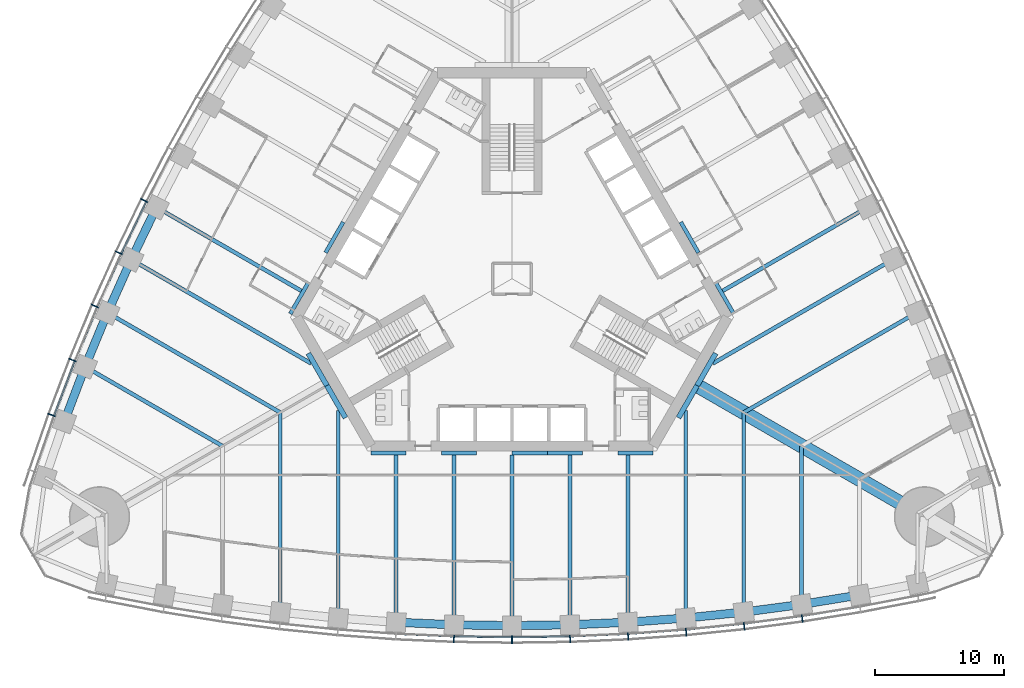
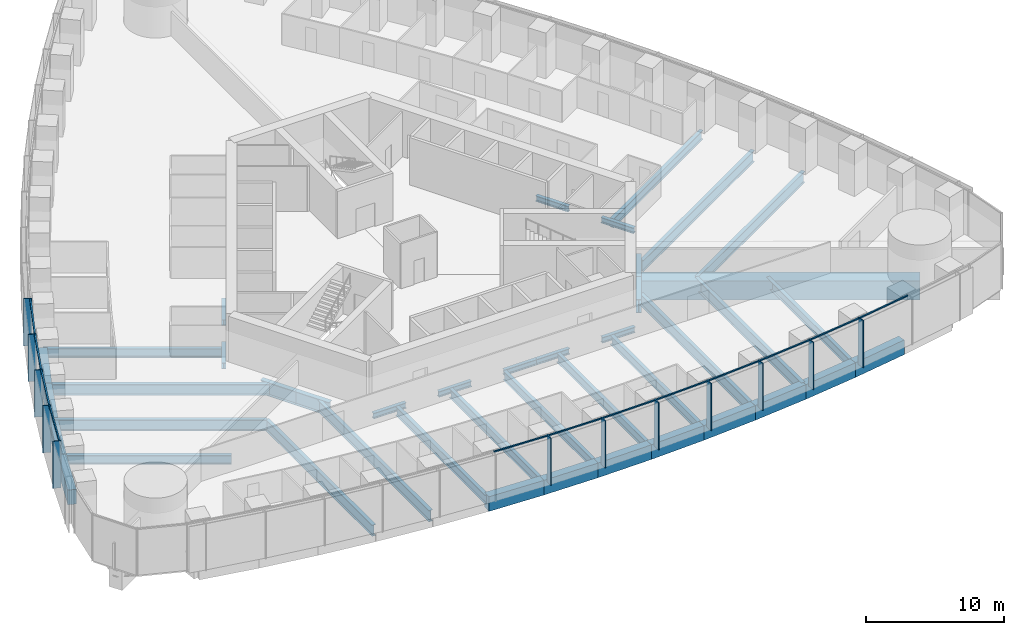
# One storey, part 3 of 18: 43 beams, 24 members, 2 elements without a shape of their own.
"""IFC4 building model written with IfcOpenShell, lengths in metres."""

import ifcopenshell
import ifcopenshell.guid

model = None  # the IFC model being written
_history = None  # IfcOwnerHistory: only IFC2X3 demands one
_inside = {}  # id of a spatial element -> (the spatial element, [elements in it])
_under = {}  # id of a project, library or spatial element -> (it, [spatial elements below it])
_declared = {}  # id of a project -> (the project, [libraries it declares])
_typed = {}  # id of a type object -> (the type object, [elements of that type])
_made_of = {}  # id of a material, layer set ... -> (it, [elements and type objects made of it])


def new_model(schema):
    """Start an empty IFC model of exactly this schema.

    Asked for "IFC4X3", IfcOpenShell would pick the latest addendum, in which some entities
    have other attributes; the version numbers below select the first issue.
    IFC2X3 requires an IfcOwnerHistory on every rooted entity: one is made here for all.
    """
    global model, _history
    if schema == "IFC4X3":
        model = ifcopenshell.file(schema_version=(4, 3, 0, 0))
    else:
        model = ifcopenshell.file(schema=schema)
    _inside.clear()
    _under.clear()
    _declared.clear()
    _typed.clear()
    _made_of.clear()
    _history = None
    if model.schema == "IFC2X3":
        org = make("IfcOrganization", Name="unknown")
        user = make(
            "IfcPersonAndOrganization",
            ThePerson=make("IfcPerson", FamilyName="unknown"),
            TheOrganization=org,
        )
        app = make(
            "IfcApplication",
            ApplicationDeveloper=org,
            Version="unknown",
            ApplicationFullName="unknown",
            ApplicationIdentifier="unknown",
        )
        _history = make(
            "IfcOwnerHistory",
            OwningUser=user,
            OwningApplication=app,
            ChangeAction="ADDED",
            CreationDate=0,
        )
    return model


def make(cls, **values):
    """One entity of the class cls with the attributes given. An attribute that is None is left unset."""
    return model.create_entity(
        cls, **{name: value for name, value in values.items() if value is not None}
    )


def rooted(cls, **values):
    """An entity with a GlobalId (a new one), such as an element, a storey or a relation."""
    return make(cls, GlobalId=ifcopenshell.guid.new(), OwnerHistory=_history, **values)


def si_unit(unit_type, name, prefix=None):
    """IfcSIUnit, for example si_unit("LENGTHUNIT", "METRE", prefix="MILLI")."""
    return make("IfcSIUnit", UnitType=unit_type, Prefix=prefix, Name=name)


def assignment(units):
    """IfcUnitAssignment: the units of a project."""
    return None if units is None else make("IfcUnitAssignment", Units=units)


def point(xyz):
    """IfcCartesianPoint."""
    return None if xyz is None else make("IfcCartesianPoint", Coordinates=xyz)


def direction(xyz):
    """IfcDirection."""
    return None if xyz is None else make("IfcDirection", DirectionRatios=xyz)


def frame(location, z_axis=None, x_axis=None):
    """IfcAxis2Placement3D, a coordinate frame: its origin and axes. An axis left out is left unset."""
    return make(
        "IfcAxis2Placement3D",
        Location=point(location),
        Axis=direction(z_axis),
        RefDirection=direction(x_axis),
    )


def frame_2d(location, x_axis=None):
    """IfcAxis2Placement2D, a coordinate frame in the plane: its origin and x axis."""
    return make(
        "IfcAxis2Placement2D", Location=point(location), RefDirection=direction(x_axis)
    )


def origin():
    """The frame at (0, 0, 0) with its axes left unset."""
    return frame((0.0, 0.0, 0.0))


def origin_2d():
    """The frame at (0, 0) in the plane with its x axis left unset."""
    return frame_2d((0.0, 0.0))


def place(relative_to, where):
    """IfcLocalPlacement: puts the frame where relative to a parent placement (None: the world)."""
    return make(
        "IfcLocalPlacement", PlacementRelTo=relative_to, RelativePlacement=where
    )


def context(
    kind, dimensions, precision=None, world=None, true_north=None, identifier=None
):
    """IfcGeometricRepresentationContext, for example the 3D "Model" context."""
    return make(
        "IfcGeometricRepresentationContext",
        ContextIdentifier=identifier,
        ContextType=kind,
        CoordinateSpaceDimension=dimensions,
        Precision=precision,
        WorldCoordinateSystem=world,
        TrueNorth=true_north,
    )


def subcontext(parent, identifier, kind, view, scale=None):
    """IfcGeometricRepresentationSubContext, for example "Body" below "Model"."""
    return make(
        "IfcGeometricRepresentationSubContext",
        ContextIdentifier=identifier,
        ContextType=kind,
        ParentContext=parent,
        TargetScale=scale,
        TargetView=view,
    )


def project(units=None, contexts=None):
    """IfcProject with its units and contexts."""
    return rooted(
        "IfcProject",
        Name="project",
        RepresentationContexts=contexts,
        UnitsInContext=assignment(units),
    )


def spatial(cls, under=None, at=None, **own):
    """A site, building, storey or space (cls), placed at a placement, below another one or the project."""
    s = rooted(cls, ObjectPlacement=at, **own)
    if under is not None:
        _under.setdefault(under.id(), (under, []))[1].append(s)
    return s


def profile(cls, at=None, kind="AREA", **sizes):
    """A parametric profile (cls). Its sizes go by their IFC names, for example OverallWidth=200.0."""
    return make(cls, ProfileType=kind, Position=at, **sizes)


def rectangle(**sizes):
    """IfcRectangleProfileDef."""
    return profile("IfcRectangleProfileDef", **sizes)


def i_section(**sizes):
    """IfcIShapeProfileDef."""
    return profile("IfcIShapeProfileDef", **sizes)


def extrude(swept, where, along, depth):
    """IfcExtrudedAreaSolid: the profile swept, set in the frame where, extruded along a direction by depth."""
    return make(
        "IfcExtrudedAreaSolid",
        SweptArea=swept,
        Position=where,
        ExtrudedDirection=direction(along),
        Depth=depth,
    )


def shape(context_of_items, identifier, shape_type, items):
    """IfcShapeRepresentation: the items that make up one representation, for example the "Body"."""
    return make(
        "IfcShapeRepresentation",
        ContextOfItems=context_of_items,
        RepresentationIdentifier=identifier,
        RepresentationType=shape_type,
        Items=items,
    )


def material(Name=None, Category=None):
    """IfcMaterial."""
    return make("IfcMaterial", Name=Name, Category=Category)


def material_profile(
    of_material, cross_section, Name=None, Category=None, Priority=None
):
    """IfcMaterialProfile: a cross section and its material."""
    return make(
        "IfcMaterialProfile",
        Name=Name,
        Material=of_material,
        Profile=cross_section,
        Priority=Priority,
        Category=Category,
    )


def profile_set(profiles, Name=None, composite=None):
    """IfcMaterialProfileSet."""
    return make(
        "IfcMaterialProfileSet",
        Name=Name,
        MaterialProfiles=profiles,
        CompositeProfile=composite,
    )


def made_of(thing, what):
    """Note that an element or type object is made of a material, layer set ...; save() writes the relation."""
    if what is not None:
        _made_of.setdefault(what.id(), (what, []))[1].append(thing)
    return thing


def type_object(cls, material=None, **own):
    """A type object (cls), such as IfcWallType, which elements share."""
    return made_of(rooted(cls, **own), material)


def element(
    cls,
    number,
    at=None,
    inside=None,
    cuts=None,
    type_object=None,
    material=None,
    context=None,
    identifier="Body",
    shape_type=None,
    held_by="IfcProductDefinitionShape",
    body=None,
    shapes=None,
    **own,
):
    """One element of the class cls, such as IfcWall. Its Tag is "e" and its number.

    at: its placement. inside: the storey or other place that contains it. cuts: it is an
    opening in that element (IfcRelVoidsElement). A single representation is given by context,
    identifier, shape_type and body (its items); several are given by shapes. held_by: the class
    of the entity that holds the representations. save() writes the other relations.
    """
    e = rooted(cls, Tag="e%d" % number, ObjectPlacement=at, **own)
    if body is not None:
        shapes = [shape(context, identifier, shape_type, body)]
    if shapes is not None:
        e.Representation = make(held_by, Representations=shapes)
    if inside is not None:
        _inside.setdefault(inside.id(), (inside, []))[1].append(e)
    if cuts is not None:
        rooted(
            "IfcRelVoidsElement", RelatingBuildingElement=cuts, RelatedOpeningElement=e
        )
    if type_object is not None:
        _typed.setdefault(type_object.id(), (type_object, []))[1].append(e)
    return made_of(e, material)


def aggregate(whole, parts):
    """IfcRelAggregates: a whole, such as a stair, and the parts it consists of."""
    return rooted("IfcRelAggregates", RelatingObject=whole, RelatedObjects=parts)


def save(model, path):
    """Write the relations noted so far, then the file.

    IfcRelAggregates (storeys below a building ...), IfcRelContainedInSpatialStructure (elements
    in a storey), IfcRelDefinesByType, IfcRelAssociatesMaterial and IfcRelDeclares: one each for
    every whole, place, type object, material and project.
    """
    for whole, parts in _under.values():
        aggregate(whole, parts)
    for where, things in _inside.values():
        rooted(
            "IfcRelContainedInSpatialStructure",
            RelatedElements=things,
            RelatingStructure=where,
        )
    for kind, things in _typed.values():
        rooted("IfcRelDefinesByType", RelatedObjects=things, RelatingType=kind)
    for what, things in _made_of.values():
        rooted("IfcRelAssociatesMaterial", RelatedObjects=things, RelatingMaterial=what)
    for by, libraries in _declared.values():
        rooted("IfcRelDeclares", RelatingContext=by, RelatedDefinitions=libraries)
    model.write(path)


model = new_model("IFC4")

# Units and contexts
model_context = context("Model", 3, precision=1e-05, world=origin(), true_north=direction((0.0, 1.0)))
body_context = subcontext(model_context, "Body", "Model", "MODEL_VIEW")
ifc_project = project(units=[si_unit("LENGTHUNIT", "METRE"), si_unit("AREAUNIT", "SQUARE_METRE"), si_unit("VOLUMEUNIT", "CUBIC_METRE"), si_unit("PLANEANGLEUNIT", "RADIAN"), si_unit("MASSUNIT", "GRAM", prefix="KILO")], contexts=[model_context])

# Site, building, storey
site_placement = place(None, origin())
site = spatial("IfcSite", under=ifc_project, at=site_placement, CompositionType="ELEMENT")
building_placement = place(site_placement, origin())
building = spatial("IfcBuilding", under=site, at=building_placement, Name="Trefoil Bronze Tower", CompositionType="ELEMENT")
storey_placement = place(building_placement, frame((0.0, 0.0, 33.300048828125)))
storey = spatial("IfcBuildingStorey", under=building, at=storey_placement, Name="L07", CompositionType="ELEMENT", Elevation=33.300048828125)

# Curtain wall, members
ifc_material_1 = material(Name="Tinted solar-control glass", Category="glass")
curtain_wall_type = type_object("IfcCurtainWallType", Name="Bronze office curtain wall", PredefinedType="USERDEFINED", material=ifc_material_1)
curtain_wall_1_placement = place(storey_placement, origin())
curtain_wall_1 = element("IfcCurtainWall", 1, at=curtain_wall_1_placement, inside=storey, type_object=curtain_wall_type, Name="CW-A L07 F1", ObjectType="CURTAIN WALL", PredefinedType="USERDEFINED")
ifc_material_2 = material(Name="Bronze-finish aluminium", Category="aluminium")
ifc_material_profile_1 = material_profile(ifc_material_2, rectangle(XDim=0.60009765625, YDim=0.080078125, at=origin_2d()), Name="CW-A mullion")
ifc_profile_set_1 = profile_set([ifc_material_profile_1], Name="Bronze-finish aluminium")
member_type_1 = type_object("IfcMemberType", Name="Bronze office curtain wall mullion", PredefinedType="MULLION", material=ifc_profile_set_1)
member_1_placement = place(storey_placement, frame((-4.5087890625, -27.9833984375, 0.0), z_axis=(0.0, 0.0, 1.0), x_axis=(0.029021671584, 0.999578782577, 0.0)))
member_1 = element("IfcMember", 2, at=member_1_placement, type_object=member_type_1, Name="CW-A L07 F1 mullion 8", PredefinedType="MULLION", context=body_context, shape_type="SweptSolid", body=[
    extrude(rectangle(XDim=0.60009765625, YDim=0.080078125, at=origin_2d()), origin(), (0.0, 0.0, 1.0), 4.179931640625),
])
member_2_placement = place(storey_placement, frame((0.0, -28.048828125, 0.0), z_axis=(0.0, 0.0, 1.0), x_axis=(0.0, 1.0, 0.0)))
member_2 = element("IfcMember", 3, at=member_2_placement, type_object=member_type_1, Name="CW-A L07 F1 mullion 9", PredefinedType="MULLION", context=body_context, shape_type="SweptSolid", body=[
    extrude(rectangle(XDim=0.60009765625, YDim=0.080078125, at=origin_2d()), origin(), (0.0, 0.0, 1.0), 4.179931640625),
])
member_3_placement = place(storey_placement, frame((4.5087890625, -27.9833984375, 0.0), z_axis=(0.0, 0.0, 1.0), x_axis=(-0.029021671584, 0.999578782577, 0.0)))
member_3 = element("IfcMember", 4, at=member_3_placement, type_object=member_type_1, Name="CW-A L07 F1 mullion 10", PredefinedType="MULLION", context=body_context, shape_type="SweptSolid", body=[
    extrude(rectangle(XDim=0.60009765625, YDim=0.080078125, at=origin_2d()), origin(), (0.0, 0.0, 1.0), 4.179931640625),
])
member_4_placement = place(storey_placement, frame((9.017333984375, -27.786865234375, 0.0), z_axis=(0.0, 0.0, 1.0), x_axis=(-0.058043374207, 0.998314062162, 0.0)))
member_4 = element("IfcMember", 5, at=member_4_placement, type_object=member_type_1, Name="CW-A L07 F1 mullion 11", PredefinedType="MULLION", context=body_context, shape_type="SweptSolid", body=[
    extrude(rectangle(XDim=0.60009765625, YDim=0.080078125, at=origin_2d()), origin(), (0.0, 0.0, 1.0), 4.179931640625),
])
member_5_placement = place(storey_placement, frame((13.526123046875, -27.458984375, 0.0), z_axis=(0.0, 0.0, 1.0), x_axis=(-0.087065139456, 0.996202620701, 0.0)))
member_5 = element("IfcMember", 6, at=member_5_placement, type_object=member_type_1, Name="CW-A L07 F1 mullion 12", PredefinedType="MULLION", context=body_context, shape_type="SweptSolid", body=[
    extrude(rectangle(XDim=0.60009765625, YDim=0.080078125, at=origin_2d()), origin(), (0.0, 0.0, 1.0), 4.179931640625),
])
member_6_placement = place(storey_placement, frame((18.034912109375, -26.99853515625, 0.0), z_axis=(0.0, 0.0, 1.0), x_axis=(-0.116086999973, 0.993239048989, 0.0)))
member_6 = element("IfcMember", 7, at=member_6_placement, type_object=member_type_1, Name="CW-A L07 F1 mullion 13", PredefinedType="MULLION", context=body_context, shape_type="SweptSolid", body=[
    extrude(rectangle(XDim=0.60009765625, YDim=0.080078125, at=origin_2d()), origin(), (0.0, 0.0, 1.0), 4.179931640625),
])
member_7_placement = place(storey_placement, frame((22.54345703125, -26.40478515625, 0.0), z_axis=(0.0, 0.0, 1.0), x_axis=(-0.145108990094, 0.989415676546, 0.0)))
member_7 = element("IfcMember", 8, at=member_7_placement, type_object=member_type_1, Name="CW-A L07 F1 mullion 14", PredefinedType="MULLION", context=body_context, shape_type="SweptSolid", body=[
    extrude(rectangle(XDim=0.60009765625, YDim=0.080078125, at=origin_2d()), origin(), (0.0, 0.0, 1.0), 4.179931640625),
])

curtain_wall_2_placement = place(storey_placement, origin())
curtain_wall_2 = element("IfcCurtainWall", 9, at=curtain_wall_2_placement, inside=storey, type_object=curtain_wall_type, Name="CW-A L07 F3", ObjectType="CURTAIN WALL", PredefinedType="USERDEFINED")
member_8_placement = place(storey_placement, frame((-28.57275390625, 6.084228515625, 0.0), z_axis=(0.0, 0.0, 1.0), x_axis=(0.893587025891, -0.448889994497, 0.0)))
member_8 = element("IfcMember", 10, at=member_8_placement, type_object=member_type_1, Name="CW-A L07 F3 mullion 11", PredefinedType="MULLION", context=body_context, shape_type="SweptSolid", body=[
    extrude(rectangle(XDim=0.60009765625, YDim=0.080078125, at=origin_2d()), origin(), (0.0, 0.0, 1.0), 4.179931640625),
])
member_9_placement = place(storey_placement, frame((-30.543212890625, 2.015380859375, 0.0), z_axis=(0.0, 0.0, 1.0), x_axis=(0.906269346572, -0.422700687798, 0.0)))
member_9 = element("IfcMember", 11, at=member_9_placement, type_object=member_type_1, Name="CW-A L07 F3 mullion 12", PredefinedType="MULLION", context=body_context, shape_type="SweptSolid", body=[
    extrude(rectangle(XDim=0.60009765625, YDim=0.080078125, at=origin_2d()), origin(), (0.0, 0.0, 1.0), 4.179931640625),
])
member_10_placement = place(storey_placement, frame((-32.39892578125, -2.119384765625, 0.0), z_axis=(0.0, 0.0, 1.0), x_axis=(0.918213748442, -0.396085233469, 0.0)))
member_10 = element("IfcMember", 12, at=member_10_placement, type_object=member_type_1, Name="CW-A L07 F3 mullion 13", PredefinedType="MULLION", context=body_context, shape_type="SweptSolid", body=[
    extrude(rectangle(XDim=0.60009765625, YDim=0.080078125, at=origin_2d()), origin(), (0.0, 0.0, 1.0), 4.179931640625),
])
member_11_placement = place(storey_placement, frame((-34.138916015625, -6.32080078125, 0.0), z_axis=(0.0, 0.0, 1.0), x_axis=(0.929413605838, -0.369039766534, 0.0)))
member_11 = element("IfcMember", 13, at=member_11_placement, type_object=member_type_1, Name="CW-A L07 F3 mullion 14", PredefinedType="MULLION", context=body_context, shape_type="SweptSolid", body=[
    extrude(rectangle(XDim=0.60009765625, YDim=0.080078125, at=origin_2d()), origin(), (0.0, 0.0, 1.0), 4.179931640625),
])
member_12_placement = place(storey_placement, frame((-35.761962890625, -10.590087890625, 0.0), z_axis=(0.0, 0.0, 1.0), x_axis=(0.939860248316, -0.341559238839, 0.0)))
member_12 = element("IfcMember", 14, at=member_12_placement, type_object=member_type_1, Name="CW-A L07 F3 mullion 15", PredefinedType="MULLION", context=body_context, shape_type="SweptSolid", body=[
    extrude(rectangle(XDim=0.60009765625, YDim=0.080078125, at=origin_2d()), origin(), (0.0, 0.0, 1.0), 4.179931640625),
])

# Member
ifc_material_3 = material(Name="Bronze-finish aluminium", Category="aluminium")
ifc_material_profile_2 = material_profile(ifc_material_3, rectangle(XDim=0.1201171875, YDim=0.10009765625, at=origin_2d()), Name="CW-A transom")
ifc_profile_set_2 = profile_set([ifc_material_profile_2], Name="Bronze-finish aluminium")
member_type_2 = type_object("IfcMemberType", Name="Bronze office curtain wall transom", PredefinedType="USERDEFINED", material=ifc_profile_set_2)
member_13_placement = place(storey_placement, frame((-8.96435546875, -27.589111328125, 4.1298828125), z_axis=(0.999054074786, -0.043485119914, 0.0), x_axis=(0.043485119914, 0.999054074786, 0.0)))
member_13 = element("IfcMember", 15, at=member_13_placement, type_object=member_type_2, Name="CW-A L07 F1 transom 7", ObjectType="TRANSOM", PredefinedType="USERDEFINED", context=body_context, shape_type="SweptSolid", body=[
    extrude(rectangle(XDim=0.1201171875, YDim=0.10009765625, at=origin_2d()), origin(), (0.0, 0.0, 1.0), 4.424072265625),
])

member_14_placement = place(storey_placement, frame((-4.46142578125, -27.783935546875, 4.1298828125), z_axis=(0.999894497273, -0.014525643658, 0.0), x_axis=(0.014525643658, 0.999894497273, 0.0)))
member_14 = element("IfcMember", 16, at=member_14_placement, type_object=member_type_2, Name="CW-A L07 F1 transom 8", ObjectType="TRANSOM", PredefinedType="USERDEFINED", context=body_context, shape_type="SweptSolid", body=[
    extrude(rectangle(XDim=0.1201171875, YDim=0.10009765625, at=origin_2d()), origin(), (0.0, 0.0, 1.0), 4.42041015625),
])

member_15_placement = place(storey_placement, frame((0.04150390625, -27.84814453125, 4.1298828125), z_axis=(0.999894497273, 0.014525643658, 0.0), x_axis=(-0.014525643658, 0.999894497273, 0.0)))
member_15 = element("IfcMember", 17, at=member_15_placement, type_object=member_type_2, Name="CW-A L07 F1 transom 9", ObjectType="TRANSOM", PredefinedType="USERDEFINED", context=body_context, shape_type="SweptSolid", body=[
    extrude(rectangle(XDim=0.1201171875, YDim=0.10009765625, at=origin_2d()), origin(), (0.0, 0.0, 1.0), 4.42041015625),
])

member_16_placement = place(storey_placement, frame((4.54443359375, -27.781494140625, 4.1298828125), z_axis=(0.999054074786, 0.043485119914, 0.0), x_axis=(-0.043485119914, 0.999054074786, 0.0)))
member_16 = element("IfcMember", 18, at=member_16_placement, type_object=member_type_2, Name="CW-A L07 F1 transom 10", ObjectType="TRANSOM", PredefinedType="USERDEFINED", context=body_context, shape_type="SweptSolid", body=[
    extrude(rectangle(XDim=0.1201171875, YDim=0.10009765625, at=origin_2d()), origin(), (0.0, 0.0, 1.0), 4.424072265625),
])

member_17_placement = place(storey_placement, frame((9.047119140625, -27.584228515625, 4.1298828125), z_axis=(0.997364729945, 0.07255064067, 0.0), x_axis=(-0.07255064067, 0.997364729945, 0.0)))
member_17 = element("IfcMember", 19, at=member_17_placement, type_object=member_type_2, Name="CW-A L07 F1 transom 11", ObjectType="TRANSOM", PredefinedType="USERDEFINED", context=body_context, shape_type="SweptSolid", body=[
    extrude(rectangle(XDim=0.1201171875, YDim=0.10009765625, at=origin_2d()), origin(), (0.0, 0.0, 1.0), 4.431884765625),
])

member_18_placement = place(storey_placement, frame((13.550048828125, -27.25537109375, 4.1298828125), z_axis=(0.994831650915, 0.101538102888, 0.0), x_axis=(-0.101538102888, 0.994831650915, 0.0)))
member_18 = element("IfcMember", 20, at=member_18_placement, type_object=member_type_2, Name="CW-A L07 F1 transom 12", ObjectType="TRANSOM", PredefinedType="USERDEFINED", context=body_context, shape_type="SweptSolid", body=[
    extrude(rectangle(XDim=0.1201171875, YDim=0.10009765625, at=origin_2d()), origin(), (0.0, 0.0, 1.0), 4.443359375),
])

member_19_placement = place(storey_placement, frame((18.052734375, -26.79443359375, 4.1298828125), z_axis=(0.991436581643, 0.13058906761, 0.0), x_axis=(-0.13058906761, 0.991436581643, 0.0)))
member_19 = element("IfcMember", 21, at=member_19_placement, type_object=member_type_2, Name="CW-A L07 F1 transom 13", ObjectType="TRANSOM", PredefinedType="USERDEFINED", context=body_context, shape_type="SweptSolid", body=[
    extrude(rectangle(XDim=0.1201171875, YDim=0.10009765625, at=origin_2d()), origin(), (0.0, 0.0, 1.0), 4.458740234375),
])

member_20_placement = place(storey_placement, frame((22.555419921875, -26.2001953125, 4.1298828125), z_axis=(0.987179401487, 0.159614627398, 0.0), x_axis=(-0.159614627398, 0.987179401487, 0.0)))
member_20 = element("IfcMember", 22, at=member_20_placement, type_object=member_type_2, Name="CW-A L07 F1 transom 14", ObjectType="TRANSOM", PredefinedType="USERDEFINED", context=body_context, shape_type="SweptSolid", body=[
    extrude(rectangle(XDim=0.1201171875, YDim=0.10009765625, at=origin_2d()), origin(), (0.0, 0.0, 1.0), 4.478515625),
])

aggregate(curtain_wall_1, [member_1, member_2, member_3, member_4, member_5, member_6, member_7, member_13, member_14, member_15, member_16, member_17, member_18, member_19, member_20])

member_21_placement = place(storey_placement, frame((-28.412109375, 5.95703125, 4.1298828125), z_axis=(-0.435851763293, -0.900018466719, 0.0), x_axis=(0.900018466719, -0.435851763293, 0.0)))
member_21 = element("IfcMember", 23, at=member_21_placement, type_object=member_type_2, Name="CW-A L07 F3 transom 11", ObjectType="TRANSOM", PredefinedType="USERDEFINED", context=body_context, shape_type="SweptSolid", body=[
    extrude(rectangle(XDim=0.1201171875, YDim=0.10009765625, at=origin_2d()), origin(), (0.0, 0.0, 1.0), 4.431884765625),
])

member_22_placement = place(storey_placement, frame((-30.37890625, 1.89306640625, 4.1298828125), z_axis=(-0.409459746452, -0.912328184392, 0.0), x_axis=(0.912328184392, -0.409459746452, 0.0)))
member_22 = element("IfcMember", 24, at=member_22_placement, type_object=member_type_2, Name="CW-A L07 F3 transom 12", ObjectType="TRANSOM", PredefinedType="USERDEFINED", context=body_context, shape_type="SweptSolid", body=[
    extrude(rectangle(XDim=0.1201171875, YDim=0.10009765625, at=origin_2d()), origin(), (0.0, 0.0, 1.0), 4.443359375),
])

member_23_placement = place(storey_placement, frame((-32.231201171875, -2.23681640625, 4.1298828125), z_axis=(-0.382616149417, -0.923907399151, 0.0), x_axis=(0.923907399151, -0.382616149417, 0.0)))
member_23 = element("IfcMember", 25, at=member_23_placement, type_object=member_type_2, Name="CW-A L07 F3 transom 13", ObjectType="TRANSOM", PredefinedType="USERDEFINED", context=body_context, shape_type="SweptSolid", body=[
    extrude(rectangle(XDim=0.1201171875, YDim=0.10009765625, at=origin_2d()), origin(), (0.0, 0.0, 1.0), 4.458984375),
])

member_24_placement = place(storey_placement, frame((-33.9677734375, -6.433349609375, 4.1298828125), z_axis=(-0.355367327392, -0.934726731522, 0.0), x_axis=(0.934726731522, -0.355367327392, 0.0)))
member_24 = element("IfcMember", 26, at=member_24_placement, type_object=member_type_2, Name="CW-A L07 F3 transom 14", ObjectType="TRANSOM", PredefinedType="USERDEFINED", context=body_context, shape_type="SweptSolid", body=[
    extrude(rectangle(XDim=0.1201171875, YDim=0.10009765625, at=origin_2d()), origin(), (0.0, 0.0, 1.0), 4.478515625),
])

aggregate(curtain_wall_2, [member_8, member_9, member_10, member_11, member_12, member_21, member_22, member_23, member_24])

# Beams
ifc_material_4 = material(Name="Steel C355", Category="steel")
ifc_material_profile_3 = material_profile(ifc_material_4, i_section(OverallWidth=0.300048828125, OverallDepth=0.5, WebThickness=0.014404296875, FlangeThickness=0.028076171875, FilletRadius=0.027099609375, at=origin_2d()), Name="HEB 500")
ifc_profile_set_3 = profile_set([ifc_material_profile_3], Name="Steel C355")
beam_type_1 = type_object("IfcBeamType", Name="Core seat beam HEB 500", PredefinedType="BEAM", material=ifc_profile_set_3)
for number, where, z_axis, x_axis, name in (
    (27, (-10.9697265625, -13.550048828125, -0.449951171875), (1.0, 0.0, 0.0), (0.0, 1.0, 0.0), "Core seat beam F1/-2 L07"),
    (28, (-5.48486328125, -13.550048828125, -0.449951171875), (1.0, 0.0, 0.0), (0.0, 1.0, 0.0), "Core seat beam F1/-1 L07"),
    (29, (0.0, -13.550048828125, -0.449951171875), (1.0, 0.0, 0.0), (0.0, 1.0, 0.0), "Core seat beam F1/+0 L07"),
    (30, (2.742431640625, -13.550048828125, -0.449951171875), (1.0, 0.0, 0.0), (0.0, 1.0, 0.0), "Core seat beam F1/+1 L07"),
    (31, (8.227294921875, -13.550048828125, -0.449951171875), (1.0, 0.0, 0.0), (0.0, 1.0, 0.0), "Core seat beam F1/+2 L07"),
    (32, (17.219482421875, -2.72509765625, -0.449951171875), (-0.500035825175, 0.866004719122, 0.0), (-0.866004719122, -0.500035825175, 0.0), "Core seat beam F2/-2 L07"),
    (33, (14.47705078125, 2.02490234375, -0.449951171875), (-0.499969057507, 0.866043267704, 0.0), (-0.866043267704, -0.499969057507, 0.0), "Core seat beam F2/-1 L07"),
    (34, (-13.10595703125, 4.39990234375, -0.449951171875), (-0.499969057507, -0.866043267704, 0.0), (0.866043267704, -0.499969057507, 0.0), "Core seat beam F3/+1 L07"),
    (35, (-15.84814453125, -0.35009765625, -0.449951171875), (-0.500035825175, -0.866004719122, 0.0), (0.866004719122, -0.500035825175, 0.0), "Core seat beam F3/+2 L07"),
):
    element("IfcBeam", number, at=place(storey_placement, frame(where, z_axis=z_axis, x_axis=x_axis)), inside=storey, type_object=beam_type_1, Name=name, PredefinedType="BEAM", context=body_context, shape_type="SweptSolid", body=[
        extrude(i_section(OverallWidth=0.300048828125, OverallDepth=0.5, WebThickness=0.014404296875, FlangeThickness=0.028076171875, FilletRadius=0.027099609375, at=origin_2d()), origin(), (0.0, 0.0, 1.0), 2.742431640625),
    ])
ifc_material_5 = material(Name="Steel C355", Category="steel")
ifc_material_profile_4 = material_profile(ifc_material_5, i_section(OverallWidth=0.39990234375, OverallDepth=1.199951171875, WebThickness=0.02001953125, FlangeThickness=0.0400390625, FilletRadius=0.010009765625, at=origin_2d()), Name="WPG 1200")
ifc_profile_set_4 = profile_set([ifc_material_profile_4], Name="Steel C355")
beam_type_2 = type_object("IfcBeamType", Name="Core seat beam WPG 1200", PredefinedType="BEAM", material=ifc_profile_set_4)
for number, where, z_axis, x_axis, name in (
    (36, (-14.3759765625, -8.300048828125, -0.800048828125), (0.499995765644, -0.866027848477, 0.0), (0.866027848477, 0.499995765644, 0.0), "Core seat beam F1/-3 L07"),
    (37, (12.9326171875, -10.800048828125, -0.800048828125), (0.499995765644, 0.866027848477, 0.0), (-0.866027848477, 0.499995765644, 0.0), "Core seat beam F1/+3 L07"),
    (38, (14.3759765625, -8.300048828125, -0.800048828125), (0.499995765644, 0.866027848477, 0.0), (-0.866027848477, 0.499995765644, 0.0), "Core seat beam F2/-3 L07"),
    (39, (-15.8193359375, -5.800048828125, -0.800048828125), (0.499995765644, -0.866027848477, 0.0), (0.866027848477, 0.499995765644, 0.0), "Core seat beam F3/+3 L07"),
):
    element("IfcBeam", number, at=place(storey_placement, frame(where, z_axis=z_axis, x_axis=x_axis)), inside=storey, type_object=beam_type_2, Name=name, PredefinedType="BEAM", context=body_context, shape_type="SweptSolid", body=[
        extrude(i_section(OverallWidth=0.39990234375, OverallDepth=1.199951171875, WebThickness=0.02001953125, FlangeThickness=0.0400390625, FilletRadius=0.010009765625, at=origin_2d()), origin(), (0.0, 0.0, 1.0), 2.88671875),
    ])
ifc_material_6 = material(Name="Concrete B80", Category="concrete")
ifc_material_profile_5 = material_profile(ifc_material_6, rectangle(XDim=1.10009765625, YDim=1.699951171875, at=origin_2d()), Name="RC 1100x1700")
ifc_profile_set_5 = profile_set([ifc_material_profile_5], Name="Concrete B80")
beam_type_3 = type_object("IfcBeamType", Name="Corner girder RC 1100x1700", PredefinedType="BEAM", material=ifc_profile_set_5)
beam_1_placement = place(storey_placement, frame((14.202880859375, -8.199951171875, -1.050048828125), z_axis=(0.866023947468, -0.500002522405, 0.0), x_axis=(0.500002522405, 0.866023947468, 0.0)))
element("IfcBeam", 40, at=beam_1_placement, inside=storey, type_object=beam_type_3, Name="Corner girder K1 L07", PredefinedType="BEAM", context=body_context, shape_type="SweptSolid", body=[
    extrude(rectangle(XDim=1.10009765625, YDim=1.699951171875, at=origin_2d()), origin(), (0.0, 0.0, 1.0), 20.60009765625),
])
ifc_material_7 = material(Name="Steel C355", Category="steel")
ifc_material_profile_6 = material_profile(ifc_material_7, i_section(OverallWidth=0.300048828125, OverallDepth=1.0, WebThickness=0.01904296875, FlangeThickness=0.035888671875, FilletRadius=0.030029296875, at=origin_2d()), Name="HEB 1000")
ifc_profile_set_6 = profile_set([ifc_material_profile_6], Name="Steel C355")
beam_type_4 = type_object("IfcBeamType", Name="Floor beam HEB 1000", PredefinedType="BEAM", material=ifc_profile_set_6)
for number, where, z_axis, x_axis, name in (
    (41, (-18.0, -25.895263671875, -0.699951171875), (0.0, 1.0, 0.0), (-1.0, 0.0, 0.0), "Floor beam F1/-4 L07"),
    (42, (18.0, -25.895263671875, -0.699951171875), (0.0, 1.0, 0.0), (-1.0, 0.0, 0.0), "Floor beam F1/+4 L07"),
):
    element("IfcBeam", number, at=place(storey_placement, frame(where, z_axis=z_axis, x_axis=x_axis)), inside=storey, type_object=beam_type_4, Name=name, PredefinedType="BEAM", context=body_context, shape_type="SweptSolid", body=[
        extrude(i_section(OverallWidth=0.300048828125, OverallDepth=1.0, WebThickness=0.01904296875, FlangeThickness=0.035888671875, FilletRadius=0.030029296875, at=origin_2d()), origin(), (0.0, 0.0, 1.0), 15.5029296875),
    ])
for number, where, z_axis, x_axis, name in (
    (43, (31.42578125, -2.640869140625, -0.699951171875), (-0.866022989816, -0.500004181093, 0.0), (0.500004181093, -0.866022989816, 0.0), "Floor beam F2/-4 L07"),
    (44, (-31.42578125, -2.640869140625, -0.699951171875), (0.866022989816, -0.500004181093, 0.0), (0.500004181093, 0.866022989816, 0.0), "Floor beam F3/+4 L07"),
):
    element("IfcBeam", number, at=place(storey_placement, frame(where, z_axis=z_axis, x_axis=x_axis)), inside=storey, type_object=beam_type_4, Name=name, PredefinedType="BEAM", context=body_context, shape_type="SweptSolid", body=[
        extrude(i_section(OverallWidth=0.300048828125, OverallDepth=1.0, WebThickness=0.01904296875, FlangeThickness=0.035888671875, FilletRadius=0.030029296875, at=origin_2d()), origin(), (0.0, 0.0, 1.0), 15.502685546875),
    ])
ifc_material_8 = material(Name="Steel C355", Category="steel")
ifc_material_profile_7 = material_profile(ifc_material_8, i_section(OverallWidth=0.300048828125, OverallDepth=0.800048828125, WebThickness=0.017578125, FlangeThickness=0.032958984375, FilletRadius=0.030029296875, at=origin_2d()), Name="HEB 800")
ifc_profile_set_7 = profile_set([ifc_material_profile_7], Name="Steel C355")
beam_type_5 = type_object("IfcBeamType", Name="Floor beam HEB 800", PredefinedType="BEAM", material=ifc_profile_set_7)
beam_2_placement = place(storey_placement, frame((-9.0, -26.68603515625, -0.60009765625), z_axis=(0.0, 1.0, 0.0), x_axis=(-1.0, 0.0, 0.0)))
element("IfcBeam", 45, at=beam_2_placement, inside=storey, type_object=beam_type_5, Name="Floor beam F1/-2 L07", PredefinedType="BEAM", context=body_context, shape_type="SweptSolid", body=[
    extrude(i_section(OverallWidth=0.300048828125, OverallDepth=0.800048828125, WebThickness=0.017578125, FlangeThickness=0.032958984375, FilletRadius=0.030029296875, at=origin_2d()), origin(), (0.0, 0.0, 1.0), 12.986083984375),
])
beam_3_placement = place(storey_placement, frame((-4.5, -26.883056640625, -0.60009765625), z_axis=(0.0, 1.0, 0.0), x_axis=(-1.0, 0.0, 0.0)))
element("IfcBeam", 46, at=beam_3_placement, inside=storey, type_object=beam_type_5, Name="Floor beam F1/-1 L07", PredefinedType="BEAM", context=body_context, shape_type="SweptSolid", body=[
    extrude(i_section(OverallWidth=0.300048828125, OverallDepth=0.800048828125, WebThickness=0.017578125, FlangeThickness=0.032958984375, FilletRadius=0.030029296875, at=origin_2d()), origin(), (0.0, 0.0, 1.0), 13.18310546875),
])
beam_4_placement = place(storey_placement, frame((0.0, -26.94873046875, -0.60009765625), z_axis=(0.0, 1.0, 0.0), x_axis=(-1.0, 0.0, 0.0)))
element("IfcBeam", 47, at=beam_4_placement, inside=storey, type_object=beam_type_5, Name="Floor beam F1/+0 L07", PredefinedType="BEAM", context=body_context, shape_type="SweptSolid", body=[
    extrude(i_section(OverallWidth=0.300048828125, OverallDepth=0.800048828125, WebThickness=0.017578125, FlangeThickness=0.032958984375, FilletRadius=0.030029296875, at=origin_2d()), origin(), (0.0, 0.0, 1.0), 13.248779296875),
])
beam_5_placement = place(storey_placement, frame((4.5, -26.883056640625, -0.60009765625), z_axis=(0.0, 1.0, 0.0), x_axis=(-1.0, 0.0, 0.0)))
element("IfcBeam", 48, at=beam_5_placement, inside=storey, type_object=beam_type_5, Name="Floor beam F1/+1 L07", PredefinedType="BEAM", context=body_context, shape_type="SweptSolid", body=[
    extrude(i_section(OverallWidth=0.300048828125, OverallDepth=0.800048828125, WebThickness=0.017578125, FlangeThickness=0.032958984375, FilletRadius=0.030029296875, at=origin_2d()), origin(), (0.0, 0.0, 1.0), 13.18310546875),
])
beam_6_placement = place(storey_placement, frame((9.0, -26.68603515625, -0.60009765625), z_axis=(0.0, 1.0, 0.0), x_axis=(-1.0, 0.0, 0.0)))
element("IfcBeam", 49, at=beam_6_placement, inside=storey, type_object=beam_type_5, Name="Floor beam F1/+2 L07", PredefinedType="BEAM", context=body_context, shape_type="SweptSolid", body=[
    extrude(i_section(OverallWidth=0.300048828125, OverallDepth=0.800048828125, WebThickness=0.017578125, FlangeThickness=0.032958984375, FilletRadius=0.030029296875, at=origin_2d()), origin(), (0.0, 0.0, 1.0), 12.986083984375),
])
beam_7_placement = place(storey_placement, frame((22.5, -25.29931640625, -0.60009765625), z_axis=(0.0, 1.0, 0.0), x_axis=(-1.0, 0.0, 0.0)))
element("IfcBeam", 50, at=beam_7_placement, inside=storey, type_object=beam_type_5, Name="Floor beam F1/+5 L07", PredefinedType="BEAM", context=body_context, shape_type="SweptSolid", body=[
    extrude(i_section(OverallWidth=0.300048828125, OverallDepth=0.800048828125, WebThickness=0.017578125, FlangeThickness=0.032958984375, FilletRadius=0.030029296875, at=origin_2d()), origin(), (0.0, 0.0, 1.0), 12.308837890625),
])
for number, where, z_axis, x_axis, name in (
    (51, (27.61083984375, 5.548828125, -0.60009765625), (-0.866022474361, -0.500005073876, 0.0), (0.500005073876, -0.866022474361, 0.0), "Floor beam F2/-2 L07"),
    (52, (-27.61083984375, 5.548828125, -0.60009765625), (0.866022474361, -0.500005073876, 0.0), (0.500005073876, 0.866022474361, 0.0), "Floor beam F3/+2 L07"),
):
    element("IfcBeam", number, at=place(storey_placement, frame(where, z_axis=z_axis, x_axis=x_axis)), inside=storey, type_object=beam_type_5, Name=name, PredefinedType="BEAM", context=body_context, shape_type="SweptSolid", body=[
        extrude(i_section(OverallWidth=0.300048828125, OverallDepth=0.800048828125, WebThickness=0.017578125, FlangeThickness=0.032958984375, FilletRadius=0.030029296875, at=origin_2d()), origin(), (0.0, 0.0, 1.0), 12.986083984375),
    ])
beam_8_placement = place(storey_placement, frame((-33.159912109375, -6.8359375, -0.60009765625), z_axis=(0.866024070878, -0.500002308654, 0.0), x_axis=(0.500002308654, 0.866024070878, 0.0)))
element("IfcBeam", 53, at=beam_8_placement, inside=storey, type_object=beam_type_5, Name="Floor beam F3/+5 L07", PredefinedType="BEAM", context=body_context, shape_type="SweptSolid", body=[
    extrude(i_section(OverallWidth=0.300048828125, OverallDepth=0.800048828125, WebThickness=0.017578125, FlangeThickness=0.032958984375, FilletRadius=0.030029296875, at=origin_2d()), origin(), (0.0, 0.0, 1.0), 12.30908203125),
])
ifc_material_9 = material(Name="Steel C355", Category="steel")
ifc_material_profile_8 = material_profile(ifc_material_9, i_section(OverallWidth=0.302001953125, OverallDepth=1.008056640625, WebThickness=0.02099609375, FlangeThickness=0.0400390625, FilletRadius=0.030029296875, at=origin_2d()), Name="HEM 1000")
ifc_profile_set_8 = profile_set([ifc_material_profile_8], Name="Steel C355")
beam_type_6 = type_object("IfcBeamType", Name="Floor beam HEM 1000", PredefinedType="BEAM", material=ifc_profile_set_8)
for number, where, z_axis, x_axis, name in (
    (54, (-13.5, -26.35693359375, -0.7041015625), (0.0, 1.0, 0.0), (-1.0, 0.0, 0.0), "Floor beam F1/-3 L07"),
    (55, (13.5, -26.35693359375, -0.7041015625), (0.0, 1.0, 0.0), (-1.0, 0.0, 0.0), "Floor beam F1/+3 L07"),
):
    element("IfcBeam", number, at=place(storey_placement, frame(where, z_axis=z_axis, x_axis=x_axis)), inside=storey, type_object=beam_type_6, Name=name, PredefinedType="BEAM", context=body_context, shape_type="SweptSolid", body=[
        extrude(i_section(OverallWidth=0.302001953125, OverallDepth=1.008056640625, WebThickness=0.02099609375, FlangeThickness=0.0400390625, FilletRadius=0.030029296875, at=origin_2d()), origin(), (0.0, 0.0, 1.0), 16.1396484375),
    ])
for number, where, z_axis, x_axis, name in (
    (56, (29.575927734375, 1.487060546875, -0.7041015625), (-0.866028401131, -0.499994808408, 0.0), (0.499994808408, -0.866028401131, 0.0), "Floor beam F2/-3 L07"),
    (57, (-29.575927734375, 1.487060546875, -0.7041015625), (0.866028401131, -0.499994808408, 0.0), (0.499994808408, 0.866028401131, 0.0), "Floor beam F3/+3 L07"),
):
    element("IfcBeam", number, at=place(storey_placement, frame(where, z_axis=z_axis, x_axis=x_axis)), inside=storey, type_object=beam_type_6, Name=name, PredefinedType="BEAM", context=body_context, shape_type="SweptSolid", body=[
        extrude(i_section(OverallWidth=0.302001953125, OverallDepth=1.008056640625, WebThickness=0.02099609375, FlangeThickness=0.0400390625, FilletRadius=0.030029296875, at=origin_2d()), origin(), (0.0, 0.0, 1.0), 16.139892578125),
    ])
ifc_material_10 = material(Name="Concrete B80", Category="concrete")
ifc_material_profile_9 = material_profile(ifc_material_10, rectangle(XDim=0.64990234375, YDim=1.300048828125, at=origin_2d()), Name="RC 650x1300")
ifc_profile_set_9 = profile_set([ifc_material_profile_9], Name="Concrete B80")
beam_type_7 = type_object("IfcBeamType", Name="Spandrel beam RC 650x1300", PredefinedType="SPANDREL", material=ifc_profile_set_9)
beam_9_placement = place(storey_placement, frame((-9.0, -26.68603515625, -0.85009765625), z_axis=(0.999042919826, -0.043740648671, 0.0), x_axis=(0.043740648671, 0.999042919826, 0.0)))
element("IfcBeam", 58, at=beam_9_placement, inside=storey, type_object=beam_type_7, Name="Spandrel F1.7 L07", PredefinedType="SPANDREL", context=body_context, shape_type="SweptSolid", body=[
    extrude(rectangle(XDim=0.64990234375, YDim=1.300048828125, at=origin_2d()), origin(), (0.0, 0.0, 1.0), 4.50439453125),
])
for number, where, z_axis, x_axis, name in (
    (59, (-4.5, -26.883056640625, -0.85009765625), (0.999893521905, -0.014592630067, 0.0), (0.014592630067, 0.999893521905, 0.0), "Spandrel F1.8 L07"),
    (60, (0.0, -26.94873046875, -0.85009765625), (0.999893521905, 0.014592630067, 0.0), (-0.014592630067, 0.999893521905, 0.0), "Spandrel F1.9 L07"),
):
    element("IfcBeam", number, at=place(storey_placement, frame(where, z_axis=z_axis, x_axis=x_axis)), inside=storey, type_object=beam_type_7, Name=name, PredefinedType="SPANDREL", context=body_context, shape_type="SweptSolid", body=[
        extrude(rectangle(XDim=0.64990234375, YDim=1.300048828125, at=origin_2d()), origin(), (0.0, 0.0, 1.0), 4.50048828125),
    ])
beam_10_placement = place(storey_placement, frame((4.5, -26.883056640625, -0.85009765625), z_axis=(0.999042919826, 0.043740648671, 0.0), x_axis=(-0.043740648671, 0.999042919826, 0.0)))
element("IfcBeam", 61, at=beam_10_placement, inside=storey, type_object=beam_type_7, Name="Spandrel F1.10 L07", PredefinedType="SPANDREL", context=body_context, shape_type="SweptSolid", body=[
    extrude(rectangle(XDim=0.64990234375, YDim=1.300048828125, at=origin_2d()), origin(), (0.0, 0.0, 1.0), 4.50439453125),
])
beam_11_placement = place(storey_placement, frame((9.0, -26.68603515625, -0.85009765625), z_axis=(0.997336412354, 0.072938882588, 0.0), x_axis=(-0.072938882588, 0.997336412354, 0.0)))
element("IfcBeam", 62, at=beam_11_placement, inside=storey, type_object=beam_type_7, Name="Spandrel F1.11 L07", PredefinedType="SPANDREL", context=body_context, shape_type="SweptSolid", body=[
    extrude(rectangle(XDim=0.64990234375, YDim=1.300048828125, at=origin_2d()), origin(), (0.0, 0.0, 1.0), 4.511962890625),
])
beam_12_placement = place(storey_placement, frame((13.5, -26.35693359375, -0.85009765625), z_axis=(0.994778488621, 0.102057623805, 0.0), x_axis=(-0.102057623805, 0.994778488621, 0.0)))
element("IfcBeam", 63, at=beam_12_placement, inside=storey, type_object=beam_type_7, Name="Spandrel F1.12 L07", PredefinedType="SPANDREL", context=body_context, shape_type="SweptSolid", body=[
    extrude(rectangle(XDim=0.64990234375, YDim=1.300048828125, at=origin_2d()), origin(), (0.0, 0.0, 1.0), 4.523681640625),
])
beam_13_placement = place(storey_placement, frame((18.0, -25.895263671875, -0.85009765625), z_axis=(0.991344474846, 0.131286450906, 0.0), x_axis=(-0.131286450906, 0.991344474846, 0.0)))
element("IfcBeam", 64, at=beam_13_placement, inside=storey, type_object=beam_type_7, Name="Spandrel F1.13 L07", PredefinedType="SPANDREL", context=body_context, shape_type="SweptSolid", body=[
    extrude(rectangle(XDim=0.64990234375, YDim=1.300048828125, at=origin_2d()), origin(), (0.0, 0.0, 1.0), 4.539306640625),
])
beam_14_placement = place(storey_placement, frame((22.5, -25.29931640625, -0.85009765625), z_axis=(0.987045951254, 0.160437807615, 0.0), x_axis=(-0.160437807615, 0.987045951254, 0.0)))
element("IfcBeam", 65, at=beam_14_placement, inside=storey, type_object=beam_type_7, Name="Spandrel F1.14 L07", PredefinedType="SPANDREL", context=body_context, shape_type="SweptSolid", body=[
    extrude(rectangle(XDim=0.64990234375, YDim=1.300048828125, at=origin_2d()), origin(), (0.0, 0.0, 1.0), 4.55908203125),
])
beam_15_placement = place(storey_placement, frame((-27.61083984375, 5.548828125, -0.85009765625), z_axis=(-0.435510013583, -0.900183885697, 0.0), x_axis=(0.900183885697, -0.435510013583, 0.0)))
element("IfcBeam", 66, at=beam_15_placement, inside=storey, type_object=beam_type_7, Name="Spandrel F3.11 L07", PredefinedType="SPANDREL", context=body_context, shape_type="SweptSolid", body=[
    extrude(rectangle(XDim=0.64990234375, YDim=1.300048828125, at=origin_2d()), origin(), (0.0, 0.0, 1.0), 4.51220703125),
])
beam_16_placement = place(storey_placement, frame((-29.575927734375, 1.487060546875, -0.85009765625), z_axis=(-0.408945873044, -0.912558640812, 0.0), x_axis=(0.912558640812, -0.408945873044, 0.0)))
element("IfcBeam", 67, at=beam_16_placement, inside=storey, type_object=beam_type_7, Name="Spandrel F3.12 L07", PredefinedType="SPANDREL", context=body_context, shape_type="SweptSolid", body=[
    extrude(rectangle(XDim=0.64990234375, YDim=1.300048828125, at=origin_2d()), origin(), (0.0, 0.0, 1.0), 4.5234375),
])
beam_17_placement = place(storey_placement, frame((-31.42578125, -2.640869140625, -0.85009765625), z_axis=(-0.382020825144, -0.924153715113, 0.0), x_axis=(0.924153715113, -0.382020825144, 0.0)))
element("IfcBeam", 68, at=beam_17_placement, inside=storey, type_object=beam_type_7, Name="Spandrel F3.13 L07", PredefinedType="SPANDREL", context=body_context, shape_type="SweptSolid", body=[
    extrude(rectangle(XDim=0.64990234375, YDim=1.300048828125, at=origin_2d()), origin(), (0.0, 0.0, 1.0), 4.539306640625),
])
beam_18_placement = place(storey_placement, frame((-33.159912109375, -6.8359375, -0.85009765625), z_axis=(-0.354571899767, -0.935028752443, 0.0), x_axis=(0.935028752443, -0.354571899767, 0.0)))
element("IfcBeam", 69, at=beam_18_placement, inside=storey, type_object=beam_type_7, Name="Spandrel F3.14 L07", PredefinedType="SPANDREL", context=body_context, shape_type="SweptSolid", body=[
    extrude(rectangle(XDim=0.64990234375, YDim=1.300048828125, at=origin_2d()), origin(), (0.0, 0.0, 1.0), 4.558837890625),
])

save(model, "model.ifc")
